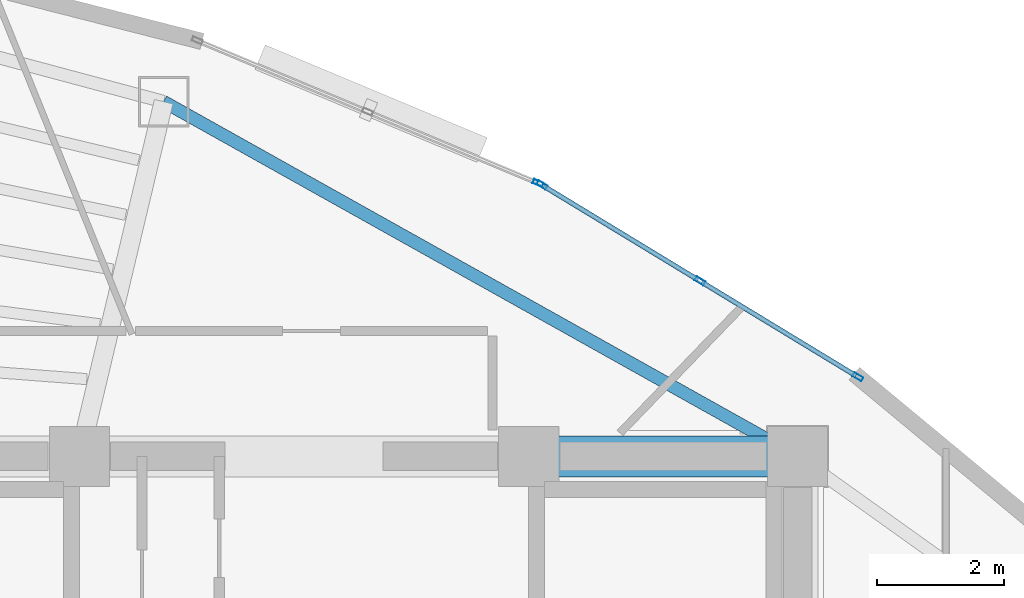
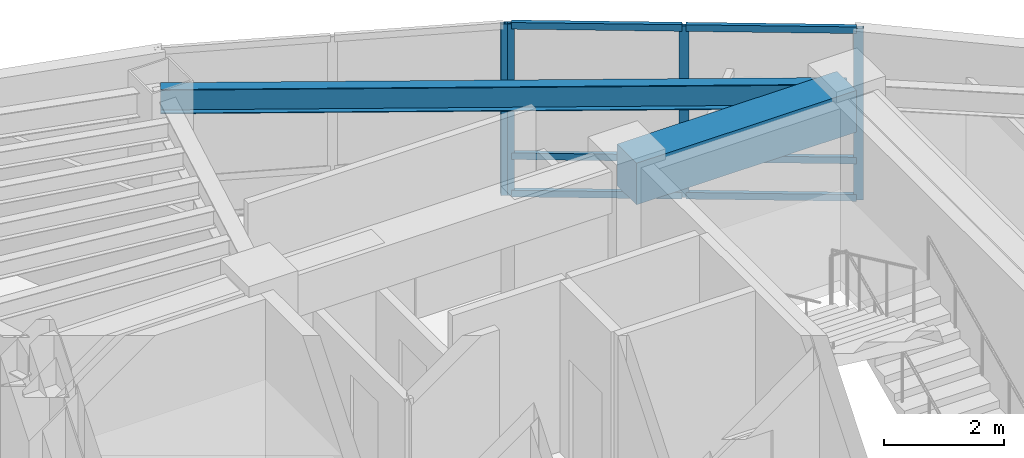
# One storey, part 10 of 15: 10 members, 2 beams, 2 elements without a shape of their own.
"""IFC4 building model written with IfcOpenShell, lengths in metres."""

from ifc_helpers import new_model, si_unit, direction, frame, origin, origin_2d, place, context, subcontext, project, spatial, rectangle, hollow_rectangle, i_section, extrude, material, layer, layer_set, material_profile, profile_set, type_object, element, aggregate, save


model = new_model("IFC4")

# Units and contexts
model_context = context("Model", 3, precision=1e-05, world=origin(), true_north=direction((0.0, 1.0)))
body_context = subcontext(model_context, "Body", "Model", "MODEL_VIEW")
ifc_project = project(units=[si_unit("LENGTHUNIT", "METRE"), si_unit("AREAUNIT", "SQUARE_METRE"), si_unit("VOLUMEUNIT", "CUBIC_METRE"), si_unit("PLANEANGLEUNIT", "RADIAN"), si_unit("MASSUNIT", "GRAM", prefix="KILO")], contexts=[model_context])

# Site, building, storey
site_placement = place(None, origin())
site = spatial("IfcSite", under=ifc_project, at=site_placement, CompositionType="ELEMENT")
building_placement = place(site_placement, origin())
building = spatial("IfcBuilding", under=site, at=building_placement, Name="Menara Vayukalpa", CompositionType="ELEMENT")
storey_placement = place(building_placement, frame((0.0, 0.0, 269.4599609375)))
storey = spatial("IfcBuildingStorey", under=building, at=storey_placement, Name="L68", CompositionType="ELEMENT", Elevation=269.4599609375)

# Beams
ifc_material_1 = material(Name="Concrete C60/75", Category="concrete")
ifc_material_profile_1 = material_profile(ifc_material_1, rectangle(XDim=0.64990234375, YDim=0.85009765625, at=origin_2d()), Name="RC 650x850")
ifc_profile_set_1 = profile_set([ifc_material_profile_1], Name="Concrete C60/75")
beam_type_1 = type_object("IfcBeamType", Name="BM-CB1", PredefinedType="BEAM", material=ifc_profile_set_1)
beam_1_placement = place(storey_placement, frame((29.14990234375, 26.800048828125, 3.074951171875), z_axis=(1.0, 0.0, 0.0), x_axis=(0.0, 1.0, 0.0)))
element("IfcBeam", 1, at=beam_1_placement, inside=storey, type_object=beam_type_1, Name="L68 Core Tie Beam CBR6", PredefinedType="BEAM", context=body_context, shape_type="SweptSolid", body=[
    extrude(rectangle(XDim=0.64990234375, YDim=0.85009765625, at=origin_2d()), origin(), (0.0, 0.0, 1.0), 4.25),
])
ifc_material_2 = material(Name="Steel S355", Category="steel")
ifc_material_profile_2 = material_profile(ifc_material_2, i_section(OverallWidth=0.199951171875, OverallDepth=0.5, WebThickness=0.010009765625, FlangeThickness=0.01611328125, at=origin_2d()), Name="WF 500x200x10x16")
ifc_profile_set_2 = profile_set([ifc_material_profile_2], Name="Steel S355")
beam_type_2 = type_object("IfcBeamType", Name="BM-SP3", PredefinedType="SPANDREL", material=ifc_profile_set_2)
beam_2_placement = place(storey_placement, frame((33.39990234375, 26.800048828125, 3.25), z_axis=(-0.87270577288, 0.48824648896, 0.0), x_axis=(-0.48824648896, -0.87270577288, 0.0)))
element("IfcBeam", 2, at=beam_2_placement, inside=storey, type_object=beam_type_2, Name="L68 Perimeter Spandrel Beam SP02", PredefinedType="SPANDREL", context=body_context, shape_type="SweptSolid", body=[
    extrude(i_section(OverallWidth=0.199951171875, OverallDepth=0.5, WebThickness=0.010009765625, FlangeThickness=0.01611328125, at=origin_2d()), origin(), (0.0, 0.0, 1.0), 11.479248046875),
])

# Curtain wall, members
ifc_material_3 = material(Name="Anodised Terracotta Aluminium Alloy 6063-T6", Category="masonry")
ifc_layer = layer(ifc_material_3, 0.1650390625)
ifc_layer_set = layer_set([ifc_layer], Name="Anodised Terracotta Aluminium Alloy 6063-T6")
curtain_wall_type = type_object("IfcCurtainWallType", Name="CW-CW6", PredefinedType="USERDEFINED", material=ifc_layer_set)
curtain_wall_1_placement = place(storey_placement, origin())
curtain_wall_1 = element("IfcCurtainWall", 3, at=curtain_wall_1_placement, inside=storey, type_object=curtain_wall_type, Name="L68 Observation and Executive Curtain Wall CW6 04", ObjectType="UNITISED", PredefinedType="USERDEFINED")
ifc_material_4 = material(Name="Anodised Terracotta Aluminium Alloy 6063-T6", Category="masonry")
ifc_material_profile_3 = material_profile(ifc_material_4, hollow_rectangle(XDim=0.070068359375, YDim=0.1650390625, WallThickness=0.00390625, at=origin_2d()), Name="ALU 70x165x4")
ifc_profile_set_3 = profile_set([ifc_material_profile_3], Name="Anodised Terracotta Aluminium Alloy 6063-T6")
member_type_1 = type_object("IfcMemberType", Name="CWM-CW6", PredefinedType="MULLION", material=ifc_profile_set_3)
member_1_placement = place(storey_placement, frame((34.35009765625, 28.056396484375, 0.0), z_axis=(0.0, 0.0, 1.0), x_axis=(-0.519175574558, -0.854667609532, 0.0)))
member_1 = element("IfcMember", 4, at=member_1_placement, type_object=member_type_1, Name="CW6 mullion 1", PredefinedType="MULLION", context=body_context, shape_type="SweptSolid", body=[
    extrude(hollow_rectangle(XDim=0.070068359375, YDim=0.1650390625, WallThickness=0.00390625, at=origin_2d()), origin(), (0.0, 0.0, 1.0), 3.5),
])
member_2_placement = place(storey_placement, frame((31.85546875, 29.57177734375, 0.0), z_axis=(0.0, 0.0, 1.0), x_axis=(-0.519175574558, -0.854667609532, 0.0)))
member_2 = element("IfcMember", 5, at=member_2_placement, type_object=member_type_1, Name="CW6 mullion 2", PredefinedType="MULLION", context=body_context, shape_type="SweptSolid", body=[
    extrude(hollow_rectangle(XDim=0.070068359375, YDim=0.1650390625, WallThickness=0.00390625, at=origin_2d()), origin(), (0.0, 0.0, 1.0), 3.5),
])
member_3_placement = place(storey_placement, frame((29.36083984375, 31.087158203125, 0.0), z_axis=(0.0, 0.0, 1.0), x_axis=(-0.519175574558, -0.854667609532, 0.0)))
member_3 = element("IfcMember", 6, at=member_3_placement, type_object=member_type_1, Name="CW6 mullion 3", PredefinedType="MULLION", context=body_context, shape_type="SweptSolid", body=[
    extrude(hollow_rectangle(XDim=0.070068359375, YDim=0.1650390625, WallThickness=0.00390625, at=origin_2d()), origin(), (0.0, 0.0, 1.0), 3.5),
])

# Curtain wall, member
curtain_wall_2_placement = place(storey_placement, origin())
curtain_wall_2 = element("IfcCurtainWall", 7, at=curtain_wall_2_placement, inside=storey, type_object=curtain_wall_type, Name="L68 Observation and Executive Curtain Wall CW6 05", ObjectType="UNITISED", PredefinedType="USERDEFINED")
member_4_placement = place(storey_placement, frame((29.298828125, 31.118896484375, 0.0), z_axis=(0.0, 0.0, 1.0), x_axis=(-0.385899911703, -0.922540653927, 0.0)))
member_4 = element("IfcMember", 8, at=member_4_placement, type_object=member_type_1, Name="CW6 mullion 1", PredefinedType="MULLION", context=body_context, shape_type="SweptSolid", body=[
    extrude(hollow_rectangle(XDim=0.070068359375, YDim=0.1650390625, WallThickness=0.00390625, at=origin_2d()), origin(), (0.0, 0.0, 1.0), 3.5),
])
aggregate(curtain_wall_2, [member_4])

# Member
ifc_material_5 = material(Name="Anodised Terracotta Aluminium Alloy 6063-T6", Category="masonry")
ifc_material_profile_4 = material_profile(ifc_material_5, hollow_rectangle(XDim=0.074951171875, YDim=0.135009765625, WallThickness=0.00390625, at=origin_2d()), Name="ALU 75x135x4")
ifc_profile_set_4 = profile_set([ifc_material_profile_4], Name="Anodised Terracotta Aluminium Alloy 6063-T6")
member_type_2 = type_object("IfcMemberType", Name="CWT-CW6", PredefinedType="USERDEFINED", material=ifc_profile_set_4)
member_5_placement = place(storey_placement, frame((34.320068359375, 28.07470703125, 0.03759765625), z_axis=(-0.854674800659, 0.519163736328, 0.0), x_axis=(-0.519163736328, -0.85467480066, 0.0)))
member_5 = element("IfcMember", 9, at=member_5_placement, type_object=member_type_2, Name="CW6 transom 1.1", ObjectType="TRANSOM", PredefinedType="USERDEFINED", context=body_context, shape_type="SweptSolid", body=[
    extrude(hollow_rectangle(XDim=0.074951171875, YDim=0.135009765625, WallThickness=0.00390625, at=origin_2d()), origin(), (0.0, 0.0, 1.0), 2.848876953125),
])

member_6_placement = place(storey_placement, frame((34.320068359375, 28.07470703125, 0.800048828125), z_axis=(-0.854674800659, 0.519163736328, 0.0), x_axis=(-0.519163736328, -0.85467480066, 0.0)))
member_6 = element("IfcMember", 10, at=member_6_placement, type_object=member_type_2, Name="CW6 transom 1.2", ObjectType="TRANSOM", PredefinedType="USERDEFINED", context=body_context, shape_type="SweptSolid", body=[
    extrude(hollow_rectangle(XDim=0.074951171875, YDim=0.135009765625, WallThickness=0.00390625, at=origin_2d()), origin(), (0.0, 0.0, 1.0), 2.848876953125),
])

member_7_placement = place(storey_placement, frame((34.320068359375, 28.07470703125, 3.462646484375), z_axis=(-0.854674800659, 0.519163736328, 0.0), x_axis=(-0.519163736328, -0.85467480066, 0.0)))
member_7 = element("IfcMember", 11, at=member_7_placement, type_object=member_type_2, Name="CW6 transom 1.3", ObjectType="TRANSOM", PredefinedType="USERDEFINED", context=body_context, shape_type="SweptSolid", body=[
    extrude(hollow_rectangle(XDim=0.074951171875, YDim=0.135009765625, WallThickness=0.00390625, at=origin_2d()), origin(), (0.0, 0.0, 1.0), 2.848876953125),
])

member_8_placement = place(storey_placement, frame((31.825439453125, 29.590087890625, 0.03759765625), z_axis=(-0.854689729536, 0.519139158825, 0.0), x_axis=(-0.519139158825, -0.854689729536, 0.0)))
member_8 = element("IfcMember", 12, at=member_8_placement, type_object=member_type_2, Name="CW6 transom 2.1", ObjectType="TRANSOM", PredefinedType="USERDEFINED", context=body_context, shape_type="SweptSolid", body=[
    extrude(hollow_rectangle(XDim=0.074951171875, YDim=0.135009765625, WallThickness=0.00390625, at=origin_2d()), origin(), (0.0, 0.0, 1.0), 2.848388671875),
])

member_9_placement = place(storey_placement, frame((31.825439453125, 29.590087890625, 0.800048828125), z_axis=(-0.854689729536, 0.519139158825, 0.0), x_axis=(-0.519139158825, -0.854689729536, 0.0)))
member_9 = element("IfcMember", 13, at=member_9_placement, type_object=member_type_2, Name="CW6 transom 2.2", ObjectType="TRANSOM", PredefinedType="USERDEFINED", context=body_context, shape_type="SweptSolid", body=[
    extrude(hollow_rectangle(XDim=0.074951171875, YDim=0.135009765625, WallThickness=0.00390625, at=origin_2d()), origin(), (0.0, 0.0, 1.0), 2.848388671875),
])

member_10_placement = place(storey_placement, frame((31.825439453125, 29.590087890625, 3.462646484375), z_axis=(-0.854689729536, 0.519139158825, 0.0), x_axis=(-0.519139158825, -0.854689729536, 0.0)))
member_10 = element("IfcMember", 14, at=member_10_placement, type_object=member_type_2, Name="CW6 transom 2.3", ObjectType="TRANSOM", PredefinedType="USERDEFINED", context=body_context, shape_type="SweptSolid", body=[
    extrude(hollow_rectangle(XDim=0.074951171875, YDim=0.135009765625, WallThickness=0.00390625, at=origin_2d()), origin(), (0.0, 0.0, 1.0), 2.848388671875),
])

aggregate(curtain_wall_1, [member_1, member_2, member_3, member_5, member_6, member_7, member_8, member_9, member_10])

save(model, "model.ifc")
